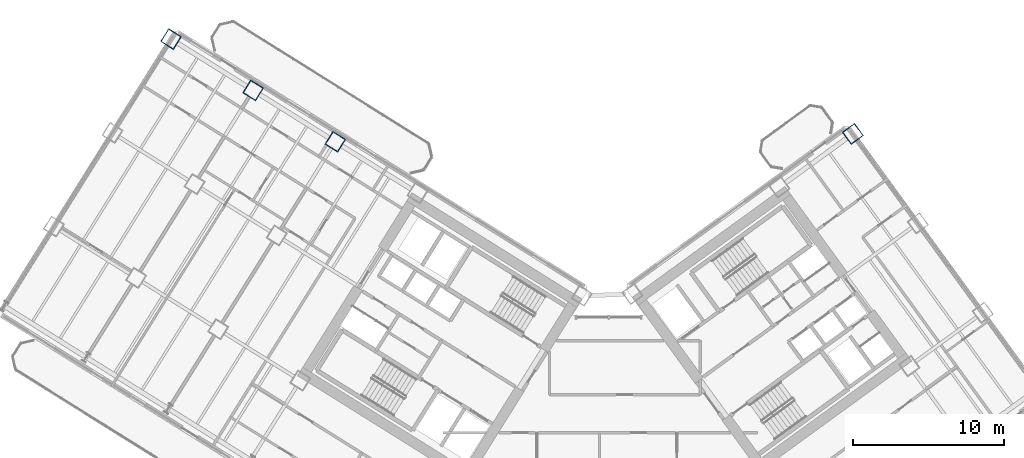
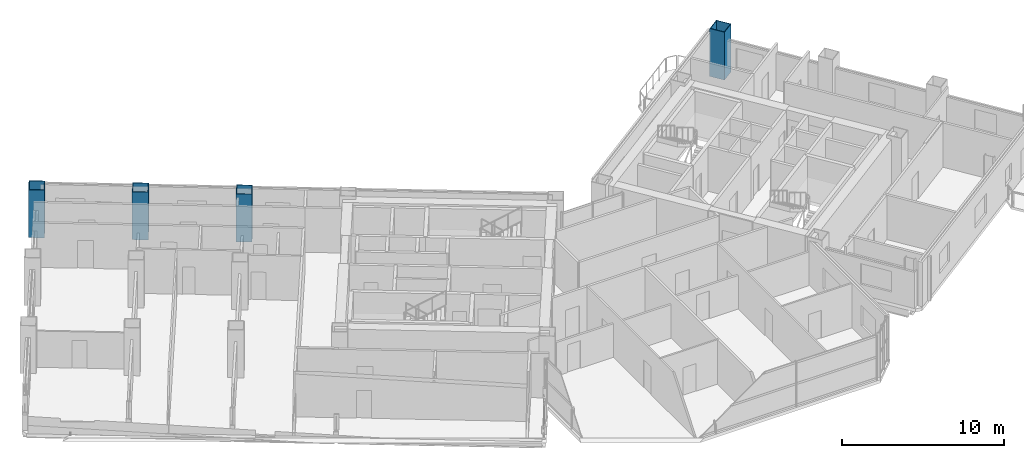
# One storey, part 3 of 28: 4 columns.
"""IFC4 building model written with IfcOpenShell, lengths in metres."""

from ifc_helpers import new_model, si_unit, direction, frame, origin, origin_2d, place, context, subcontext, project, spatial, hollow_rectangle, extrude, source, transform, mapped, material, material_profile, profile_set, type_object, element, save


model = new_model("IFC4")

# Units and contexts
model_context = context("Model", 3, precision=1e-05, world=origin(), true_north=direction((0.0, 1.0)))
body_context = subcontext(model_context, "Body", "Model", "MODEL_VIEW")
ifc_project = project(units=[si_unit("LENGTHUNIT", "METRE"), si_unit("AREAUNIT", "SQUARE_METRE"), si_unit("VOLUMEUNIT", "CUBIC_METRE"), si_unit("PLANEANGLEUNIT", "RADIAN"), si_unit("MASSUNIT", "GRAM", prefix="KILO")], contexts=[model_context])

# Site, building, storey
site_placement = place(None, origin())
site = spatial("IfcSite", under=ifc_project, at=site_placement, CompositionType="ELEMENT")
building_placement = place(site_placement, origin())
building = spatial("IfcBuilding", under=site, at=building_placement, Name="Tlacorven Tower", CompositionType="ELEMENT")
storey_placement = place(building_placement, frame((0.0, 0.0, 34.800048828125)))
storey = spatial("IfcBuildingStorey", under=building, at=storey_placement, Name="L08", CompositionType="ELEMENT", Elevation=34.800048828125)

# Columns
ifc_material = material(Name="Steel S460M", Category="steel")
ifc_material_profile = material_profile(ifc_material, hollow_rectangle(XDim=1.0, YDim=1.0, WallThickness=0.0400390625, at=origin_2d()), Name="BOX 1000X1000X40")
ifc_profile_set = profile_set([ifc_material_profile], Name="Steel S460M")
column_type = type_object("IfcColumnType", Name="COL-TWR-S1", PredefinedType="COLUMN", material=ifc_profile_set)
shared_shape = source(origin(), body_context, "Body", "SweptSolid", [
    extrude(hollow_rectangle(XDim=1.0, YDim=1.0, WallThickness=0.0400390625, at=origin_2d()), origin(), (0.0, 0.0, 1.0), 3.599853515625),
])
for number, where, z_axis, x_axis, name in (
    (1, (24.50048828125, 34.642822265625, 0.0), (0.0, 0.0, 1.0), (-0.848048096156, 0.529919264233, 0.0), "L08 column COL-L08-W4-1"),
    (2, (19.072998046875, 38.034423828125, 0.0), (0.0, 0.0, 1.0), (-0.848048096156, 0.529919264233, 0.0), "L08 column COL-L08-W5-1"),
    (3, (13.6455078125, 41.42578125, 0.0), (0.0, 0.0, 1.0), (-0.848048096156, 0.529919264233, 0.0), "L08 column COL-L08-W6-1"),
    (4, (58.68603515625, 35.165283203125, 0.0), (0.0, 0.0, 1.0), (0.809016994375, 0.587785252292, 0.0), "L08 column COL-L08-E4-4"),
):
    element("IfcColumn", number, at=place(storey_placement, frame(where, z_axis=z_axis, x_axis=x_axis)), inside=storey, type_object=column_type, Name=name, PredefinedType="COLUMN", context=body_context, shape_type="MappedRepresentation", body=[
        mapped(shared_shape, transform((0.0, 0.0, 0.0), scale=1.0)),
    ])

save(model, "model.ifc")
